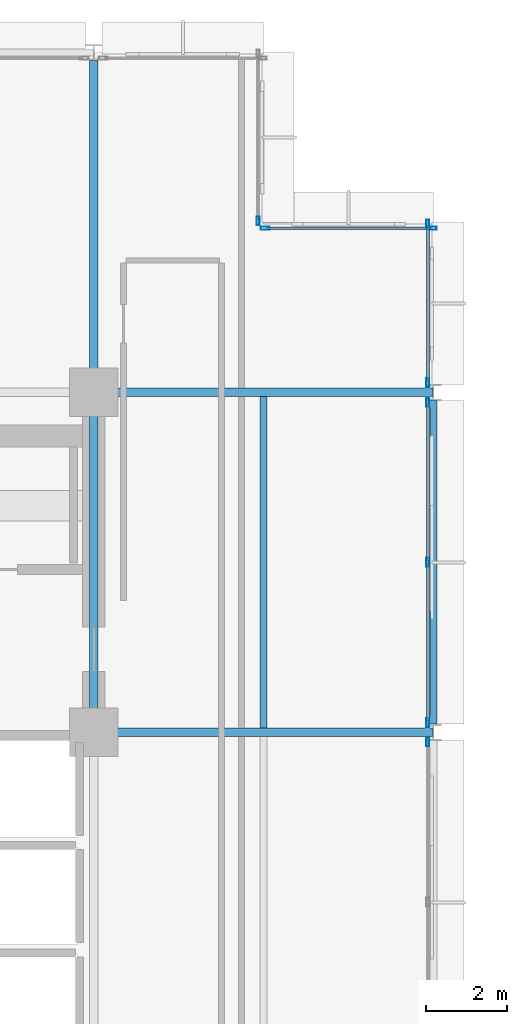
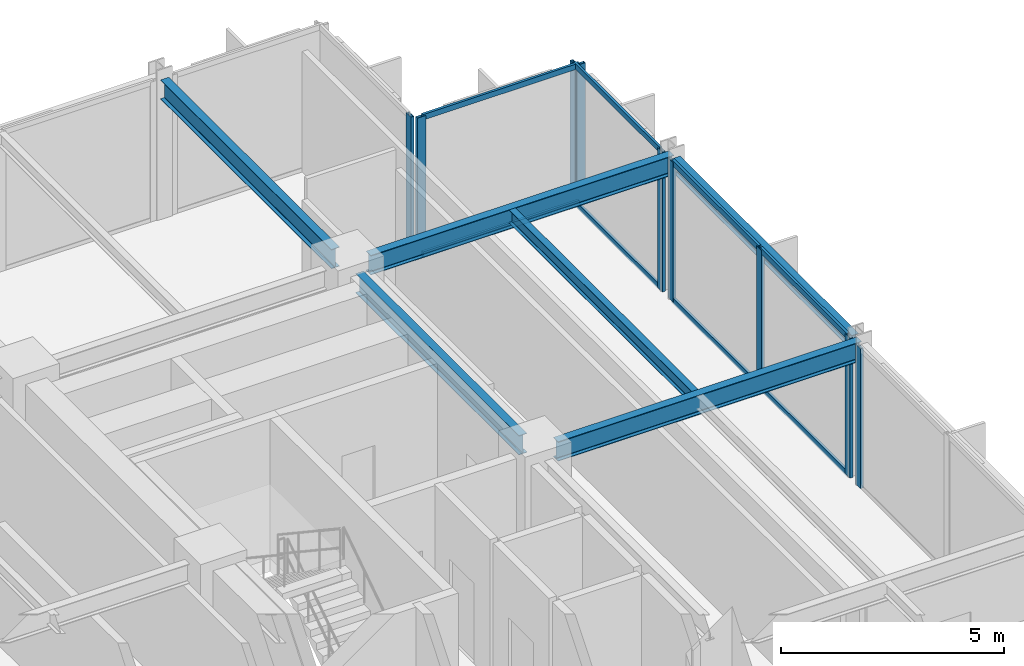
# One storey, part 14 of 25: 17 members, 6 beams, 5 elements without a shape of their own.
"""IFC4 building model written with IfcOpenShell, lengths in metres."""

from ifc_helpers import new_model, si_unit, direction, frame, origin, origin_2d, place, context, subcontext, project, spatial, hollow_rectangle, i_section, extrude, material, layer, layer_set, material_profile, profile_set, type_object, element, aggregate, save


model = new_model("IFC4")

# Units and contexts
model_context = context("Model", 3, precision=1e-05, world=origin(), true_north=direction((0.0, 1.0)))
body_context = subcontext(model_context, "Body", "Model", "MODEL_VIEW")
ifc_project = project(units=[si_unit("LENGTHUNIT", "METRE"), si_unit("AREAUNIT", "SQUARE_METRE"), si_unit("VOLUMEUNIT", "CUBIC_METRE"), si_unit("PLANEANGLEUNIT", "RADIAN"), si_unit("MASSUNIT", "GRAM", prefix="KILO")], contexts=[model_context])

# Site, building, storey
site_placement = place(None, origin())
site = spatial("IfcSite", under=ifc_project, at=site_placement, CompositionType="ELEMENT")
building_placement = place(site_placement, origin())
building = spatial("IfcBuilding", under=site, at=building_placement, Name="Nerrivon Quay Data Exchange", CompositionType="ELEMENT")
storey_placement = place(building_placement, frame((0.0, 0.0, 113.10009765625)))
storey = spatial("IfcBuildingStorey", under=building, at=storey_placement, Name="L26", CompositionType="ELEMENT", Elevation=113.10009765625)

# Beams
ifc_material_1 = material(Name="Steel Grade 350", Category="steel")
ifc_material_profile_1 = material_profile(ifc_material_1, i_section(OverallWidth=0.208984375, OverallDepth=0.532958984375, WebThickness=0.01025390625, FlangeThickness=0.015625, FilletRadius=0.013916015625, at=origin_2d()), Name="530UB92.4")
ifc_profile_set_1 = profile_set([ifc_material_profile_1], Name="Steel Grade 350")
beam_type_1 = type_object("IfcBeamType", Name="BM-G3-530UB92", PredefinedType="BEAM", material=ifc_profile_set_1)
for number, where, z_axis, x_axis, name in (
    (1, (17.340087890625, 33.60009765625, 3.558349609375), (1.0, 0.0, 0.0), (0.0, 1.0, 0.0), "L26 EW Girder Y=33.6 (16.8..25.2)"),
    (2, (17.340087890625, 42.0, 3.558349609375), (1.0, 0.0, 0.0), (0.0, 1.0, 0.0), "L26 EW Girder Y=42.0 (16.8..25.2)"),
):
    element("IfcBeam", number, at=place(storey_placement, frame(where, z_axis=z_axis, x_axis=x_axis)), inside=storey, type_object=beam_type_1, Name=name, PredefinedType="BEAM", context=body_context, shape_type="SweptSolid", body=[
        extrude(i_section(OverallWidth=0.208984375, OverallDepth=0.532958984375, WebThickness=0.01025390625, FlangeThickness=0.015625, FilletRadius=0.013916015625, at=origin_2d()), origin(), (0.0, 0.0, 1.0), 7.847412109375),
    ])
ifc_material_profile_2 = material_profile(ifc_material_1, i_section(OverallWidth=0.208984375, OverallDepth=0.528076171875, WebThickness=0.009521484375, FlangeThickness=0.01318359375, FilletRadius=0.013916015625, at=origin_2d()), Name="530UB82.0")
ifc_profile_set_2 = profile_set([ifc_material_profile_2], Name="Steel Grade 350")
beam_type_2 = type_object("IfcBeamType", Name="BM-G4-530UB82", PredefinedType="BEAM", material=ifc_profile_set_2)
beam_1_placement = place(storey_placement, frame((16.800048828125, 34.139892578125, 3.560791015625), z_axis=(0.0, 1.0, 0.0), x_axis=(-1.0, 0.0, 0.0)))
element("IfcBeam", 3, at=beam_1_placement, inside=storey, type_object=beam_type_2, Name="L26 NS Girder X=16.8 (33.6..42.0)", PredefinedType="BEAM", context=body_context, shape_type="SweptSolid", body=[
    extrude(i_section(OverallWidth=0.208984375, OverallDepth=0.528076171875, WebThickness=0.009521484375, FlangeThickness=0.01318359375, FilletRadius=0.013916015625, at=origin_2d()), origin(), (0.0, 0.0, 1.0), 7.320068359375),
])
beam_2_placement = place(storey_placement, frame((16.800048828125, 42.5400390625, 3.560791015625), z_axis=(0.0, 1.0, 0.0), x_axis=(-1.0, 0.0, 0.0)))
element("IfcBeam", 4, at=beam_2_placement, inside=storey, type_object=beam_type_2, Name="L26 NS Girder X=16.8 (42.0..50.4)", PredefinedType="BEAM", context=body_context, shape_type="SweptSolid", body=[
    extrude(i_section(OverallWidth=0.208984375, OverallDepth=0.528076171875, WebThickness=0.009521484375, FlangeThickness=0.01318359375, FilletRadius=0.013916015625, at=origin_2d()), origin(), (0.0, 0.0, 1.0), 7.659912109375),
])
ifc_material_profile_3 = material_profile(ifc_material_1, i_section(OverallWidth=0.1708984375, OverallDepth=0.35595703125, WebThickness=0.00732421875, FlangeThickness=0.011474609375, FilletRadius=0.011474609375, at=origin_2d()), Name="360UB50.7")
ifc_profile_set_3 = profile_set([ifc_material_profile_3], Name="Steel Grade 350")
beam_type_3 = type_object("IfcBeamType", Name="BM-J4-360UB51", PredefinedType="JOIST", material=ifc_profile_set_3)
beam_3_placement = place(storey_placement, frame((21.0, 33.70458984375, 3.64697265625), z_axis=(0.0, 1.0, 0.0), x_axis=(-1.0, 0.0, 0.0)))
element("IfcBeam", 5, at=beam_3_placement, inside=storey, type_object=beam_type_3, Name="L26 Secondary Joist X=21.0 (33.6..42.0)", PredefinedType="JOIST", context=body_context, shape_type="SweptSolid", body=[
    extrude(i_section(OverallWidth=0.1708984375, OverallDepth=0.35595703125, WebThickness=0.00732421875, FlangeThickness=0.011474609375, FilletRadius=0.011474609375, at=origin_2d()), origin(), (0.0, 0.0, 1.0), 8.19091796875),
])
ifc_material_profile_4 = material_profile(ifc_material_1, i_section(OverallWidth=0.177978515625, OverallDepth=0.403076171875, WebThickness=0.007568359375, FlangeThickness=0.010986328125, FilletRadius=0.011474609375, at=origin_2d()), Name="410UB53.7")
ifc_profile_set_4 = profile_set([ifc_material_profile_4], Name="Steel Grade 350")
beam_type_4 = type_object("IfcBeamType", Name="BM-SP2-410UB54", PredefinedType="SPANDREL", material=ifc_profile_set_4)
beam_4_placement = place(storey_placement, frame((25.199951171875, 33.800048828125, 3.623291015625), z_axis=(0.0, 1.0, 0.0), x_axis=(-1.0, 0.0, 0.0)))
element("IfcBeam", 6, at=beam_4_placement, inside=storey, type_object=beam_type_4, Name="L26 NS Girder X=25.2 (33.6..42.0)", PredefinedType="SPANDREL", context=body_context, shape_type="SweptSolid", body=[
    extrude(i_section(OverallWidth=0.177978515625, OverallDepth=0.403076171875, WebThickness=0.007568359375, FlangeThickness=0.010986328125, FilletRadius=0.011474609375, at=origin_2d()), origin(), (0.0, 0.0, 1.0), 8.0),
])

# Curtain wall, member
ifc_material_2 = material(Name="Anodised aluminium 6063-T6", Category="aluminium")
ifc_layer = layer(ifc_material_2, 0.22998046875)
ifc_layer_set = layer_set([ifc_layer], Name="Anodised aluminium 6063-T6")
curtain_wall_type = type_object("IfcCurtainWallType", Name="CW-SYS-05", PredefinedType="NOTDEFINED", material=ifc_layer_set)
curtain_wall_1_placement = place(storey_placement, origin())
curtain_wall_1 = element("IfcCurtainWall", 7, at=curtain_wall_1_placement, inside=storey, type_object=curtain_wall_type, Name="L26 Unitised Curtain Wall 22", PredefinedType="NOTDEFINED")
ifc_material_profile_5 = material_profile(ifc_material_2, hollow_rectangle(XDim=0.074951171875, YDim=0.219970703125, WallThickness=0.00390625, at=origin_2d()), Name="ALU-MULL-220x75")
ifc_profile_set_5 = profile_set([ifc_material_profile_5], Name="Anodised aluminium 6063-T6")
member_type_1 = type_object("IfcMemberType", Name="CWM-220x75", PredefinedType="MULLION", material=ifc_profile_set_5)
member_1_placement = place(storey_placement, frame((20.860107421875, 46.237548828125, 0.0), z_axis=(0.0, 0.0, 1.0), x_axis=(1.0, 0.0, 0.0)))
member_1 = element("IfcMember", 8, at=member_1_placement, type_object=member_type_1, Name="CW05 mullion 2", PredefinedType="MULLION", context=body_context, shape_type="SweptSolid", body=[
    extrude(hollow_rectangle(XDim=0.074951171875, YDim=0.219970703125, WallThickness=0.00390625, at=origin_2d()), origin(), (0.0, 0.0, 1.0), 3.824951171875),
])
aggregate(curtain_wall_1, [member_1])

# Curtain wall, members
curtain_wall_2_placement = place(storey_placement, origin())
curtain_wall_2 = element("IfcCurtainWall", 9, at=curtain_wall_2_placement, inside=storey, type_object=curtain_wall_type, Name="L26 Unitised Curtain Wall 23", PredefinedType="NOTDEFINED")
member_2_placement = place(storey_placement, frame((21.03759765625, 46.06005859375, 0.0), z_axis=(0.0, 0.0, 1.0), x_axis=(0.0, 1.0, 0.0)))
member_2 = element("IfcMember", 10, at=member_2_placement, type_object=member_type_1, Name="CW05 mullion 1", PredefinedType="MULLION", context=body_context, shape_type="SweptSolid", body=[
    extrude(hollow_rectangle(XDim=0.074951171875, YDim=0.219970703125, WallThickness=0.00390625, at=origin_2d()), origin(), (0.0, 0.0, 1.0), 3.824951171875),
])
member_3_placement = place(storey_placement, frame((25.16259765625, 46.06005859375, 0.0), z_axis=(0.0, 0.0, 1.0), x_axis=(0.0, 1.0, 0.0)))
member_3 = element("IfcMember", 11, at=member_3_placement, type_object=member_type_1, Name="CW05 mullion 2", PredefinedType="MULLION", context=body_context, shape_type="SweptSolid", body=[
    extrude(hollow_rectangle(XDim=0.074951171875, YDim=0.219970703125, WallThickness=0.00390625, at=origin_2d()), origin(), (0.0, 0.0, 1.0), 3.824951171875),
])

curtain_wall_3_placement = place(storey_placement, origin())
curtain_wall_3 = element("IfcCurtainWall", 12, at=curtain_wall_3_placement, inside=storey, type_object=curtain_wall_type, Name="L26 Unitised Curtain Wall 24", PredefinedType="NOTDEFINED")
member_4_placement = place(storey_placement, frame((25.06005859375, 46.16259765625, 0.0), z_axis=(0.0, 0.0, 1.0), x_axis=(1.0, 0.0, 0.0)))
member_4 = element("IfcMember", 13, at=member_4_placement, type_object=member_type_1, Name="CW05 mullion 1", PredefinedType="MULLION", context=body_context, shape_type="SweptSolid", body=[
    extrude(hollow_rectangle(XDim=0.074951171875, YDim=0.219970703125, WallThickness=0.00390625, at=origin_2d()), origin(), (0.0, 0.0, 1.0), 3.824951171875),
])
member_5_placement = place(storey_placement, frame((25.06005859375, 42.237548828125, 0.0), z_axis=(0.0, 0.0, 1.0), x_axis=(1.0, 0.0, 0.0)))
member_5 = element("IfcMember", 14, at=member_5_placement, type_object=member_type_1, Name="CW05 mullion 2", PredefinedType="MULLION", context=body_context, shape_type="SweptSolid", body=[
    extrude(hollow_rectangle(XDim=0.074951171875, YDim=0.219970703125, WallThickness=0.00390625, at=origin_2d()), origin(), (0.0, 0.0, 1.0), 3.824951171875),
])

curtain_wall_4_placement = place(storey_placement, origin())
curtain_wall_4 = element("IfcCurtainWall", 15, at=curtain_wall_4_placement, inside=storey, type_object=curtain_wall_type, Name="L26 Unitised Curtain Wall 25", PredefinedType="NOTDEFINED")
member_6_placement = place(storey_placement, frame((25.06005859375, 41.762451171875, 0.0), z_axis=(0.0, 0.0, 1.0), x_axis=(1.0, 0.0, 0.0)))
member_6 = element("IfcMember", 16, at=member_6_placement, type_object=member_type_1, Name="CW05 mullion 1", PredefinedType="MULLION", context=body_context, shape_type="SweptSolid", body=[
    extrude(hollow_rectangle(XDim=0.074951171875, YDim=0.219970703125, WallThickness=0.00390625, at=origin_2d()), origin(), (0.0, 0.0, 1.0), 3.824951171875),
])
member_7_placement = place(storey_placement, frame((25.06005859375, 37.800048828125, 0.0), z_axis=(0.0, 0.0, 1.0), x_axis=(1.0, 0.0, 0.0)))
member_7 = element("IfcMember", 17, at=member_7_placement, type_object=member_type_1, Name="CW05 mullion 2", PredefinedType="MULLION", context=body_context, shape_type="SweptSolid", body=[
    extrude(hollow_rectangle(XDim=0.074951171875, YDim=0.219970703125, WallThickness=0.00390625, at=origin_2d()), origin(), (0.0, 0.0, 1.0), 3.824951171875),
])
member_8_placement = place(storey_placement, frame((25.06005859375, 33.83740234375, 0.0), z_axis=(0.0, 0.0, 1.0), x_axis=(1.0, 0.0, 0.0)))
member_8 = element("IfcMember", 18, at=member_8_placement, type_object=member_type_1, Name="CW05 mullion 3", PredefinedType="MULLION", context=body_context, shape_type="SweptSolid", body=[
    extrude(hollow_rectangle(XDim=0.074951171875, YDim=0.219970703125, WallThickness=0.00390625, at=origin_2d()), origin(), (0.0, 0.0, 1.0), 3.824951171875),
])

# Curtain wall, member
curtain_wall_5_placement = place(storey_placement, origin())
curtain_wall_5 = element("IfcCurtainWall", 19, at=curtain_wall_5_placement, inside=storey, type_object=curtain_wall_type, Name="L26 Unitised Curtain Wall 26", PredefinedType="NOTDEFINED")
member_9_placement = place(storey_placement, frame((25.06005859375, 33.362548828125, 0.0), z_axis=(0.0, 0.0, 1.0), x_axis=(1.0, 0.0, 0.0)))
member_9 = element("IfcMember", 20, at=member_9_placement, type_object=member_type_1, Name="CW05 mullion 1", PredefinedType="MULLION", context=body_context, shape_type="SweptSolid", body=[
    extrude(hollow_rectangle(XDim=0.074951171875, YDim=0.219970703125, WallThickness=0.00390625, at=origin_2d()), origin(), (0.0, 0.0, 1.0), 3.824951171875),
])
aggregate(curtain_wall_5, [member_9])

# Member
ifc_material_profile_6 = material_profile(ifc_material_2, hollow_rectangle(XDim=0.06494140625, YDim=0.14990234375, WallThickness=0.00341796875, at=origin_2d()), Name="ALU-TRAN-150x65")
ifc_profile_set_6 = profile_set([ifc_material_profile_6], Name="Anodised aluminium 6063-T6")
member_type_2 = type_object("IfcMemberType", Name="CWT-150x65", PredefinedType="USERDEFINED", material=ifc_profile_set_6)
member_10_placement = place(storey_placement, frame((21.074951171875, 46.06005859375, 0.032470703125), z_axis=(1.0, 0.0, 0.0), x_axis=(0.0, 1.0, 0.0)))
member_10 = element("IfcMember", 21, at=member_10_placement, type_object=member_type_2, Name="CW05 transom 1.1", ObjectType="TRANSOM", PredefinedType="USERDEFINED", context=body_context, shape_type="SweptSolid", body=[
    extrude(hollow_rectangle(XDim=0.06494140625, YDim=0.14990234375, WallThickness=0.00341796875, at=origin_2d()), origin(), (0.0, 0.0, 1.0), 4.050048828125),
])

member_11_placement = place(storey_placement, frame((21.074951171875, 46.06005859375, 3.79248046875), z_axis=(1.0, 0.0, 0.0), x_axis=(0.0, 1.0, 0.0)))
member_11 = element("IfcMember", 22, at=member_11_placement, type_object=member_type_2, Name="CW05 transom 1.2", ObjectType="TRANSOM", PredefinedType="USERDEFINED", context=body_context, shape_type="SweptSolid", body=[
    extrude(hollow_rectangle(XDim=0.06494140625, YDim=0.14990234375, WallThickness=0.00341796875, at=origin_2d()), origin(), (0.0, 0.0, 1.0), 4.050048828125),
])

aggregate(curtain_wall_2, [member_2, member_3, member_10, member_11])

member_12_placement = place(storey_placement, frame((25.06005859375, 46.125, 0.032470703125), z_axis=(0.0, -1.0, 0.0), x_axis=(1.0, 0.0, 0.0)))
member_12 = element("IfcMember", 23, at=member_12_placement, type_object=member_type_2, Name="CW05 transom 1.1", ObjectType="TRANSOM", PredefinedType="USERDEFINED", context=body_context, shape_type="SweptSolid", body=[
    extrude(hollow_rectangle(XDim=0.06494140625, YDim=0.14990234375, WallThickness=0.00341796875, at=origin_2d()), origin(), (0.0, 0.0, 1.0), 3.85009765625),
])

member_13_placement = place(storey_placement, frame((25.06005859375, 46.125, 3.79248046875), z_axis=(0.0, -1.0, 0.0), x_axis=(1.0, 0.0, 0.0)))
member_13 = element("IfcMember", 24, at=member_13_placement, type_object=member_type_2, Name="CW05 transom 1.2", ObjectType="TRANSOM", PredefinedType="USERDEFINED", context=body_context, shape_type="SweptSolid", body=[
    extrude(hollow_rectangle(XDim=0.06494140625, YDim=0.14990234375, WallThickness=0.00341796875, at=origin_2d()), origin(), (0.0, 0.0, 1.0), 3.85009765625),
])

aggregate(curtain_wall_3, [member_4, member_5, member_12, member_13])

member_14_placement = place(storey_placement, frame((25.06005859375, 41.72509765625, 0.032470703125), z_axis=(0.0, -1.0, 0.0), x_axis=(1.0, 0.0, 0.0)))
member_14 = element("IfcMember", 25, at=member_14_placement, type_object=member_type_2, Name="CW05 transom 1.1", ObjectType="TRANSOM", PredefinedType="USERDEFINED", context=body_context, shape_type="SweptSolid", body=[
    extrude(hollow_rectangle(XDim=0.06494140625, YDim=0.14990234375, WallThickness=0.00341796875, at=origin_2d()), origin(), (0.0, 0.0, 1.0), 3.8876953125),
])

member_15_placement = place(storey_placement, frame((25.06005859375, 41.72509765625, 3.79248046875), z_axis=(0.0, -1.0, 0.0), x_axis=(1.0, 0.0, 0.0)))
member_15 = element("IfcMember", 26, at=member_15_placement, type_object=member_type_2, Name="CW05 transom 1.2", ObjectType="TRANSOM", PredefinedType="USERDEFINED", context=body_context, shape_type="SweptSolid", body=[
    extrude(hollow_rectangle(XDim=0.06494140625, YDim=0.14990234375, WallThickness=0.00341796875, at=origin_2d()), origin(), (0.0, 0.0, 1.0), 3.8876953125),
])

member_16_placement = place(storey_placement, frame((25.06005859375, 37.762451171875, 0.032470703125), z_axis=(0.0, -1.0, 0.0), x_axis=(1.0, 0.0, 0.0)))
member_16 = element("IfcMember", 27, at=member_16_placement, type_object=member_type_2, Name="CW05 transom 2.1", ObjectType="TRANSOM", PredefinedType="USERDEFINED", context=body_context, shape_type="SweptSolid", body=[
    extrude(hollow_rectangle(XDim=0.06494140625, YDim=0.14990234375, WallThickness=0.00341796875, at=origin_2d()), origin(), (0.0, 0.0, 1.0), 3.887451171875),
])

member_17_placement = place(storey_placement, frame((25.06005859375, 37.762451171875, 3.79248046875), z_axis=(0.0, -1.0, 0.0), x_axis=(1.0, 0.0, 0.0)))
member_17 = element("IfcMember", 28, at=member_17_placement, type_object=member_type_2, Name="CW05 transom 2.2", ObjectType="TRANSOM", PredefinedType="USERDEFINED", context=body_context, shape_type="SweptSolid", body=[
    extrude(hollow_rectangle(XDim=0.06494140625, YDim=0.14990234375, WallThickness=0.00341796875, at=origin_2d()), origin(), (0.0, 0.0, 1.0), 3.887451171875),
])

aggregate(curtain_wall_4, [member_6, member_7, member_8, member_14, member_15, member_16, member_17])

save(model, "model.ifc")
